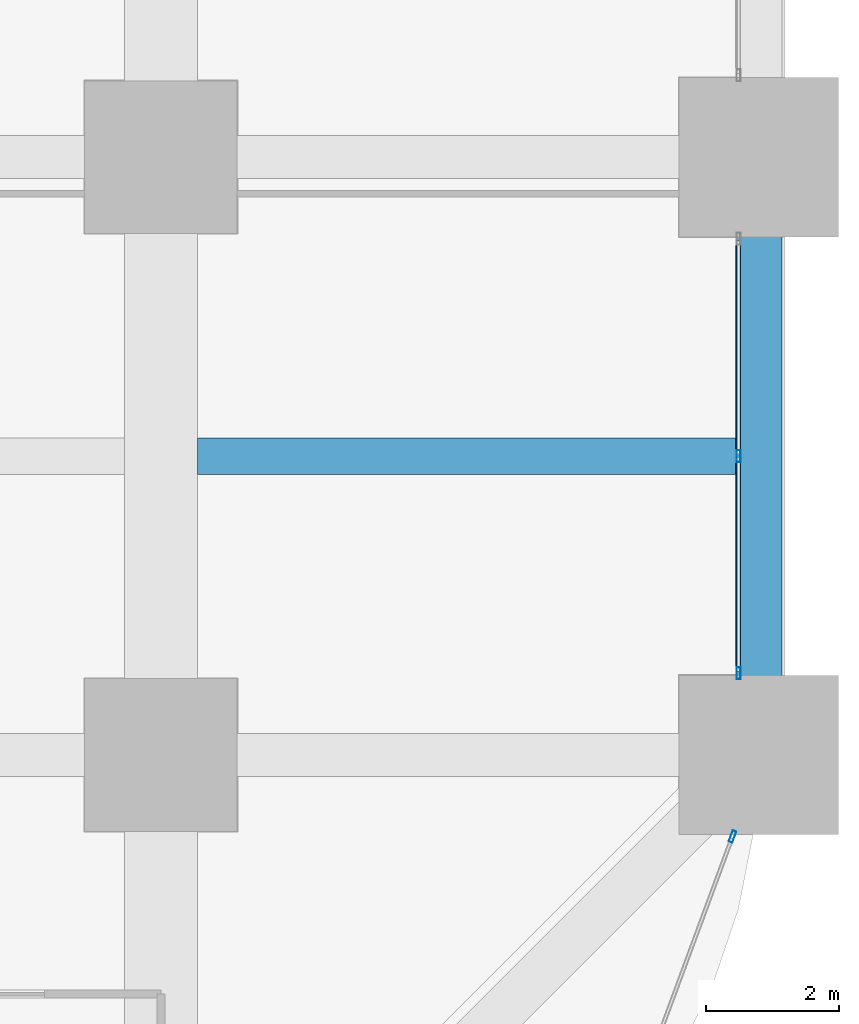
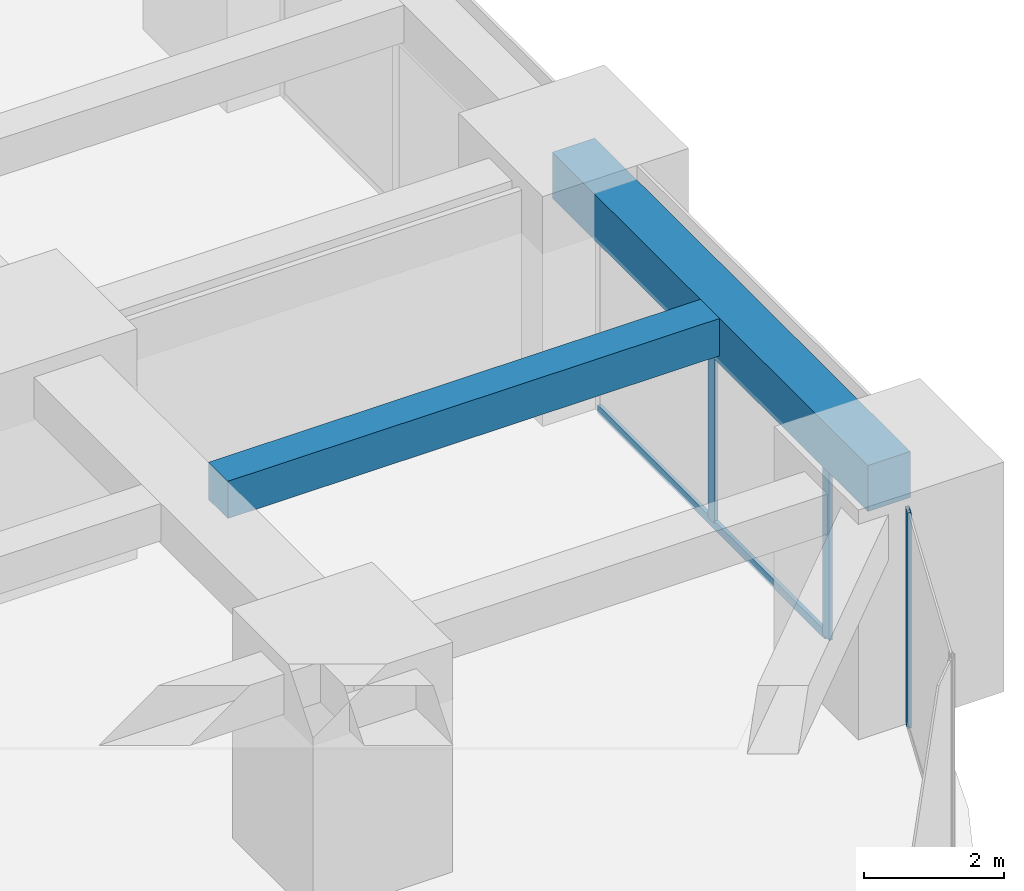
# One storey, part 18 of 45: 4 members, 2 beams, 2 elements without a shape of their own.
"""IFC4 building model written with IfcOpenShell, lengths in metres."""

from ifc_helpers import new_model, si_unit, direction, frame, origin, origin_2d, place, context, subcontext, project, spatial, rectangle, hollow_rectangle, extrude, material, material_profile, profile_set, type_object, element, aggregate, save


model = new_model("IFC4")

# Units and contexts
model_context = context("Model", 3, precision=1e-05, world=origin(), true_north=direction((0.0, 1.0)))
body_context = subcontext(model_context, "Body", "Model", "MODEL_VIEW")
ifc_project = project(units=[si_unit("LENGTHUNIT", "METRE"), si_unit("AREAUNIT", "SQUARE_METRE"), si_unit("VOLUMEUNIT", "CUBIC_METRE"), si_unit("PLANEANGLEUNIT", "RADIAN"), si_unit("MASSUNIT", "GRAM", prefix="KILO")], contexts=[model_context])

# Site, building, storey
site_placement = place(None, origin())
site = spatial("IfcSite", under=ifc_project, at=site_placement, CompositionType="ELEMENT")
building_placement = place(site_placement, origin())
building = spatial("IfcBuilding", under=site, at=building_placement, Name="Zorevar Civic Tower", CompositionType="ELEMENT")
storey_placement = place(building_placement, frame((0.0, 0.0, 39.800048828125)))
storey = spatial("IfcBuildingStorey", under=building, at=storey_placement, Name="L09", CompositionType="ELEMENT", Elevation=39.800048828125)

# Beam
ifc_material_1 = material(Name="Concrete C50/60", Category="concrete")
ifc_material_profile_1 = material_profile(ifc_material_1, rectangle(XDim=0.550048828125, YDim=0.64990234375, at=origin_2d()), Name="RC 550x650")
ifc_profile_set_1 = profile_set([ifc_material_profile_1], Name="Concrete C50/60")
beam_type_1 = type_object("IfcBeamType", Name="Beam RC 550x650", PredefinedType="BEAM", material=ifc_profile_set_1)
beam_1_placement = place(storey_placement, frame((54.550048828125, 13.5, 3.425048828125), z_axis=(1.0, 0.0, 0.0), x_axis=(0.0, 1.0, 0.0)))
element("IfcBeam", 1, at=beam_1_placement, inside=storey, type_object=beam_type_1, Name="Secondary beam L10", PredefinedType="BEAM", context=body_context, shape_type="SweptSolid", body=[
    extrude(rectangle(XDim=0.550048828125, YDim=0.64990234375, at=origin_2d()), origin(), (0.0, 0.0, 1.0), 8.099853515625),
])

# Curtain wall, members
ifc_material_2 = material(Name="Dark grey solar-control glass in black aluminium frame", Category="aluminium")
curtain_wall_type = type_object("IfcCurtainWallType", Name="Curtain wall CW2 low zone", PredefinedType="NOTDEFINED", material=ifc_material_2)
curtain_wall_1_placement = place(storey_placement, origin())
curtain_wall_1 = element("IfcCurtainWall", 2, at=curtain_wall_1_placement, inside=storey, type_object=curtain_wall_type, Name="CW2 L09", PredefinedType="NOTDEFINED")
ifc_material_3 = material(Name="Aluminium, black anodised", Category="aluminium")
ifc_material_profile_2 = material_profile(ifc_material_3, hollow_rectangle(XDim=0.06005859375, YDim=0.179931640625, WallThickness=0.00390625, at=origin_2d()), Name="AL 180x60x4")
ifc_profile_set_2 = profile_set([ifc_material_profile_2], Name="Aluminium, black anodised")
member_type_1 = type_object("IfcMemberType", Name="CW2 mullion AL 180x60x4", PredefinedType="MULLION", material=ifc_profile_set_2)
member_1_placement = place(storey_placement, frame((62.699951171875, 10.22998046875, 0.0), z_axis=(0.0, 0.0, 1.0), x_axis=(-1.0, 0.0, 0.0)))
member_1 = element("IfcMember", 3, at=member_1_placement, type_object=member_type_1, Name="CW2 mullion 1", PredefinedType="MULLION", context=body_context, shape_type="SweptSolid", body=[
    extrude(hollow_rectangle(XDim=0.06005859375, YDim=0.179931640625, WallThickness=0.00390625, at=origin_2d()), origin(), (0.0, 0.0, 1.0), 2.949951171875),
])
member_2_placement = place(storey_placement, frame((62.699951171875, 13.5, 0.06005859375), z_axis=(0.0, 0.0, 1.0), x_axis=(-1.0, 0.0, 0.0)))
member_2 = element("IfcMember", 4, at=member_2_placement, type_object=member_type_1, Name="CW2 mullion 2", PredefinedType="MULLION", context=body_context, shape_type="SweptSolid", body=[
    extrude(hollow_rectangle(XDim=0.06005859375, YDim=0.179931640625, WallThickness=0.00390625, at=origin_2d()), origin(), (0.0, 0.0, 1.0), 2.889892578125),
])

# Curtain wall, member
curtain_wall_2_placement = place(storey_placement, origin())
curtain_wall_2 = element("IfcCurtainWall", 5, at=curtain_wall_2_placement, inside=storey, type_object=curtain_wall_type, Name="CW2 L09", PredefinedType="NOTDEFINED")
member_3_placement = place(storey_placement, frame((62.6064453125, 7.77197265625, 0.0), z_axis=(0.0, 0.0, 1.0), x_axis=(-0.937974588163, 0.346704012033, 0.0)))
member_3 = element("IfcMember", 6, at=member_3_placement, type_object=member_type_1, Name="CW2 mullion 2", PredefinedType="MULLION", context=body_context, shape_type="SweptSolid", body=[
    extrude(hollow_rectangle(XDim=0.06005859375, YDim=0.179931640625, WallThickness=0.00390625, at=origin_2d()), origin(), (0.0, 0.0, 1.0), 3.75),
])
aggregate(curtain_wall_2, [member_3])

# Member
ifc_material_4 = material(Name="Aluminium, black anodised", Category="aluminium")
ifc_material_profile_3 = material_profile(ifc_material_4, hollow_rectangle(XDim=0.06005859375, YDim=0.14990234375, WallThickness=0.00390625, at=origin_2d()), Name="AL 150x60x4")
ifc_profile_set_3 = profile_set([ifc_material_profile_3], Name="Aluminium, black anodised")
member_type_2 = type_object("IfcMemberType", Name="CW2 transom AL 150x60x4", PredefinedType="USERDEFINED", material=ifc_profile_set_3)
member_4_placement = place(storey_placement, frame((62.699951171875, 10.260009765625, 0.030029296875), z_axis=(0.0, 1.0, 0.0), x_axis=(-1.0, 0.0, 0.0)))
member_4 = element("IfcMember", 7, at=member_4_placement, type_object=member_type_2, Name="CW2 sill transom", ObjectType="TRANSOM", PredefinedType="USERDEFINED", context=body_context, shape_type="SweptSolid", body=[
    extrude(hollow_rectangle(XDim=0.06005859375, YDim=0.14990234375, WallThickness=0.00390625, at=origin_2d()), origin(), (0.0, 0.0, 1.0), 6.47998046875),
])

aggregate(curtain_wall_1, [member_1, member_2, member_4])

# Beam
ifc_material_5 = material(Name="Concrete C50/60", Category="concrete")
ifc_material_profile_4 = material_profile(ifc_material_5, rectangle(XDim=0.699951171875, YDim=0.800048828125, at=origin_2d()), Name="RC 700x800")
ifc_profile_set_4 = profile_set([ifc_material_profile_4], Name="Concrete C50/60")
beam_type_2 = type_object("IfcBeamType", Name="Edge beam RC 700x800", PredefinedType="SPANDREL", material=ifc_profile_set_4)
beam_2_placement = place(storey_placement, frame((63.0, 9.0, 3.349853515625), z_axis=(0.0, 1.0, 0.0), x_axis=(-1.0, 0.0, 0.0)))
element("IfcBeam", 8, at=beam_2_placement, inside=storey, type_object=beam_type_2, Name="Edge beam L10", PredefinedType="SPANDREL", context=body_context, shape_type="SweptSolid", body=[
    extrude(rectangle(XDim=0.699951171875, YDim=0.800048828125, at=origin_2d()), origin(), (0.0, 0.0, 1.0), 9.0),
])

save(model, "model.ifc")
